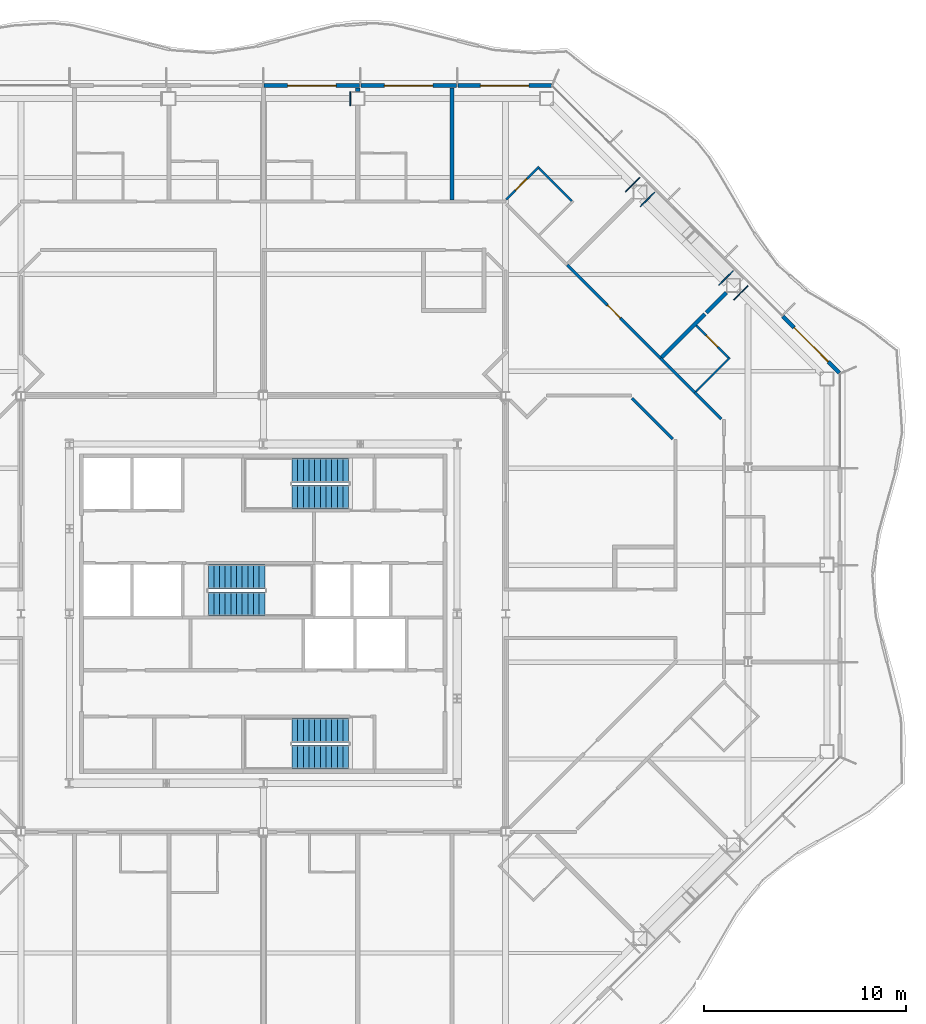
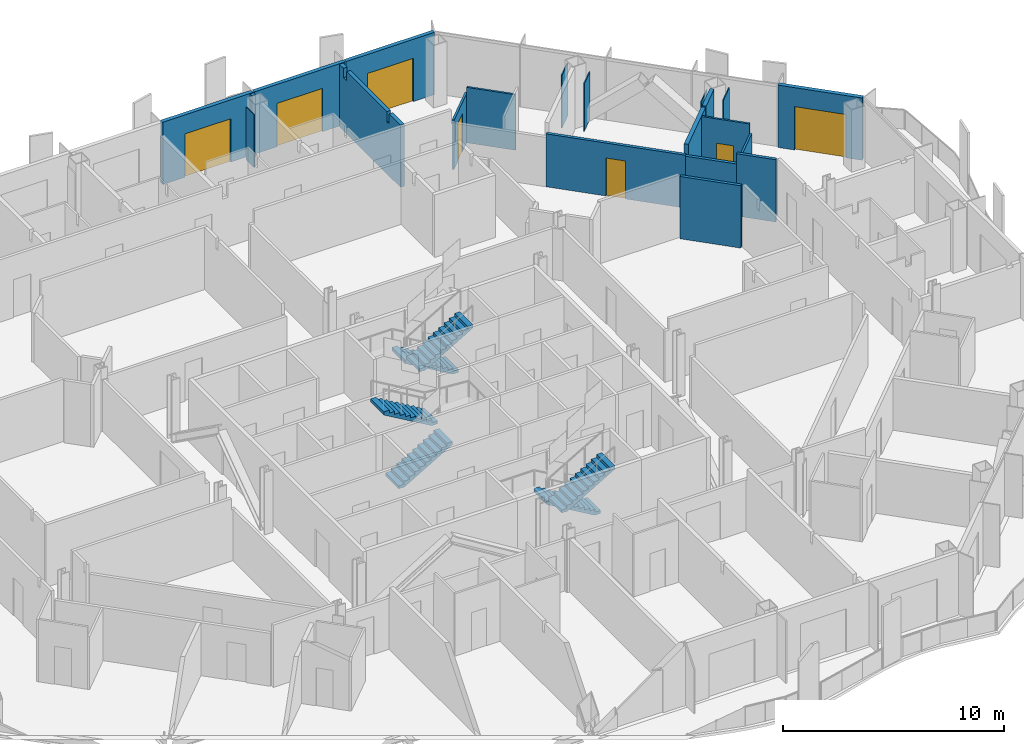
# One storey, part 14 of 21: 21 walls, 7 doors, 6 stair flights, 7 openings, 3 elements without a shape of their own.
"""IFC4 building model written with IfcOpenShell, lengths in metres."""

from ifc_helpers import new_model, si_unit, direction, frame, frame_2d, origin, place, context, subcontext, project, spatial, polyline, rectangle, outline, extrude, material, layer, layer_set, type_object, element, fill, aggregate, save


model = new_model("IFC4")

# Units and contexts
model_context = context("Model", 3, precision=1e-05, world=origin(), true_north=direction((0.0, 1.0)))
body_context = subcontext(model_context, "Body", "Model", "MODEL_VIEW")
ifc_project = project(units=[si_unit("LENGTHUNIT", "METRE"), si_unit("AREAUNIT", "SQUARE_METRE"), si_unit("VOLUMEUNIT", "CUBIC_METRE"), si_unit("PLANEANGLEUNIT", "RADIAN"), si_unit("MASSUNIT", "GRAM", prefix="KILO")], contexts=[model_context])

# Site, building, storey
site_placement = place(None, origin())
site = spatial("IfcSite", under=ifc_project, at=site_placement, CompositionType="ELEMENT")
building_placement = place(site_placement, origin())
building = spatial("IfcBuilding", under=site, at=building_placement, Name="Cairn Pilgrim Tower", CompositionType="ELEMENT")
storey_placement = place(building_placement, frame((0.0, 0.0, 136.199951171875)))
storey = spatial("IfcBuildingStorey", under=building, at=storey_placement, Name="L33", CompositionType="ELEMENT", Elevation=136.199951171875)

# Wall, opening, door
ifc_material_1 = material(Name="Bronze anodised aluminium insulated sandwich panel with mineral wool fill", Category="aluminium")
ifc_layer_1 = layer(ifc_material_1, 0.199951171875)
ifc_layer_set_1 = layer_set([ifc_layer_1], Name="BRONZE INFILL FRAME WALL 200")
wall_type_1 = type_object("IfcWallType", Name="BRONZE INFILL FRAME WALL 200", PredefinedType="NOTDEFINED", material=ifc_layer_set_1)
wall_1_placement = place(storey_placement, frame((35.7216796875, 14.32470703125, 0.0), z_axis=(0.0, 0.0, 1.0), x_axis=(-0.707106781187, 0.707106781187, 0.0)))
wall_1 = element("IfcWall", 1, at=wall_1_placement, inside=storey, type_object=wall_type_1, Name="Bronze infill frame wall IW-NE1", PredefinedType="NOTDEFINED", context=body_context, shape_type="SweptSolid", body=[
    extrude(rectangle(XDim=3.961669921875, YDim=0.199951171875, at=frame_2d((1.98095703125, 0.0))), origin(), (0.0, 0.0, 1.0), 3.449951171875),
])
opening_1_placement = place(wall_1_placement, frame((0.775390625, 0.0, 0.0)))
opening_1 = element("IfcOpeningElement", 2, at=opening_1_placement, cuts=wall_1, Name="Opening 3308B", PredefinedType="OPENING", context=body_context, shape_type="SweptSolid", body=[
    extrude(rectangle(XDim=2.39990234375, YDim=2.39990234375, at=frame_2d((1.199951171875, 1.199951171875))), frame((0.0, 0.10986328125, 0.0), z_axis=(0.0, -1.0, 0.0), x_axis=(1.0, 0.0, 0.0)), (0.0, 0.0, 1.0), 0.219970703125),
])
ifc_material_2 = material(Name="Bronze anodised aluminium frame with tinted low-E glass", Category="aluminium")
door_type_1 = type_object("IfcDoorType", Name="BALCONY SLIDING DOOR 2400x2400", OperationType="DOUBLE_DOOR_SLIDING", PredefinedType="DOOR", material=ifc_material_2)
door_1_placement = place(opening_1_placement, origin())
door_1 = element("IfcDoor", 3, at=door_1_placement, inside=storey, type_object=door_type_1, Name="Balcony sliding door 3308B", OperationType="SINGLE_SWING_LEFT", OverallHeight=2.39990234375, OverallWidth=2.39990234375, PredefinedType="DOOR", context=body_context, shape_type="SweptSolid", body=[
    extrude(rectangle(XDim=2.39990234375, YDim=2.39990234375, at=frame_2d((1.199951171875, 1.199951171875))), frame((0.0, 0.02490234375, 0.0), z_axis=(0.0, -1.0, 0.0), x_axis=(1.0, 0.0, 0.0)), (0.0, 0.0, 1.0), 0.050048828125),
])
fill(opening_1, door_1)

wall_2_placement = place(storey_placement, frame((21.45654296875, 28.550048828125, 0.0), z_axis=(0.0, 0.0, 1.0), x_axis=(-1.0, 0.0, 0.0)))
wall_2 = element("IfcWall", 4, at=wall_2_placement, inside=storey, type_object=wall_type_1, Name="Bronze infill frame wall IW-N1", PredefinedType="NOTDEFINED", context=body_context, shape_type="SweptSolid", body=[
    extrude(rectangle(XDim=4.62646484375, YDim=0.199951171875, at=frame_2d((2.313232421875, 0.0))), origin(), (0.0, 0.0, 1.0), 3.449951171875),
])
opening_2_placement = place(wall_2_placement, frame((1.1083984375, 0.0, 0.0)))
opening_2 = element("IfcOpeningElement", 5, at=opening_2_placement, cuts=wall_2, Name="Opening 3310B", PredefinedType="OPENING", context=body_context, shape_type="SweptSolid", body=[
    extrude(rectangle(XDim=2.39990234375, YDim=2.39990234375, at=frame_2d((1.199951171875, 1.199951171875))), frame((0.0, 0.10986328125, 0.0), z_axis=(0.0, -1.0, 0.0), x_axis=(1.0, 0.0, 0.0)), (0.0, 0.0, 1.0), 0.219970703125),
])
door_2_placement = place(opening_2_placement, origin())
door_2 = element("IfcDoor", 6, at=door_2_placement, inside=storey, type_object=door_type_1, Name="Balcony sliding door 3310B", OperationType="SINGLE_SWING_LEFT", OverallHeight=2.39990234375, OverallWidth=2.39990234375, PredefinedType="DOOR", context=body_context, shape_type="SweptSolid", body=[
    extrude(rectangle(XDim=2.39990234375, YDim=2.39990234375, at=frame_2d((1.199951171875, 1.199951171875))), frame((0.0, 0.02490234375, 0.0), z_axis=(0.0, -1.0, 0.0), x_axis=(1.0, 0.0, 0.0)), (0.0, 0.0, 1.0), 0.050048828125),
])
fill(opening_2, door_2)

wall_3_placement = place(storey_placement, frame((16.77001953125, 28.550048828125, 0.0), z_axis=(0.0, 0.0, 1.0), x_axis=(-1.0, 0.0, 0.0)))
wall_3 = element("IfcWall", 7, at=wall_3_placement, inside=storey, type_object=wall_type_1, Name="Bronze infill frame wall IW-N2", PredefinedType="NOTDEFINED", context=body_context, shape_type="SweptSolid", body=[
    extrude(rectangle(XDim=4.739990234375, YDim=0.199951171875, at=frame_2d((2.3701171875, 0.0))), origin(), (0.0, 0.0, 1.0), 3.449951171875),
])
opening_3_placement = place(wall_3_placement, frame((1.17041015625, 0.0, 0.0)))
opening_3 = element("IfcOpeningElement", 8, at=opening_3_placement, cuts=wall_3, Name="Opening 3311B", PredefinedType="OPENING", context=body_context, shape_type="SweptSolid", body=[
    extrude(rectangle(XDim=2.39990234375, YDim=2.39990234375, at=frame_2d((1.199951171875, 1.199951171875))), frame((0.0, 0.10986328125, 0.0), z_axis=(0.0, -1.0, 0.0), x_axis=(1.0, 0.0, 0.0)), (0.0, 0.0, 1.0), 0.219970703125),
])
door_3_placement = place(opening_3_placement, origin())
door_3 = element("IfcDoor", 9, at=door_3_placement, inside=storey, type_object=door_type_1, Name="Balcony sliding door 3311B", OperationType="SINGLE_SWING_LEFT", OverallHeight=2.39990234375, OverallWidth=2.39990234375, PredefinedType="DOOR", context=body_context, shape_type="SweptSolid", body=[
    extrude(rectangle(XDim=2.39990234375, YDim=2.39990234375, at=frame_2d((1.199951171875, 1.199951171875))), frame((0.0, 0.02490234375, 0.0), z_axis=(0.0, -1.0, 0.0), x_axis=(1.0, 0.0, 0.0)), (0.0, 0.0, 1.0), 0.050048828125),
])
fill(opening_3, door_3)

wall_4_placement = place(storey_placement, frame((11.969970703125, 28.550048828125, 0.0), z_axis=(0.0, 0.0, 1.0), x_axis=(-1.0, 0.0, 0.0)))
wall_4 = element("IfcWall", 10, at=wall_4_placement, inside=storey, type_object=wall_type_1, Name="Bronze infill frame wall IW-N3", PredefinedType="NOTDEFINED", context=body_context, shape_type="SweptSolid", body=[
    extrude(rectangle(XDim=4.739990234375, YDim=0.199951171875, at=frame_2d((2.3701171875, 0.0))), origin(), (0.0, 0.0, 1.0), 3.449951171875),
])
opening_4_placement = place(wall_4_placement, frame((1.17041015625, 0.0, 0.0)))
opening_4 = element("IfcOpeningElement", 11, at=opening_4_placement, cuts=wall_4, Name="Opening 3312B", PredefinedType="OPENING", context=body_context, shape_type="SweptSolid", body=[
    extrude(rectangle(XDim=2.39990234375, YDim=2.39990234375, at=frame_2d((1.199951171875, 1.199951171875))), frame((0.0, 0.10986328125, 0.0), z_axis=(0.0, -1.0, 0.0), x_axis=(1.0, 0.0, 0.0)), (0.0, 0.0, 1.0), 0.219970703125),
])
door_4_placement = place(opening_4_placement, origin())
door_4 = element("IfcDoor", 12, at=door_4_placement, inside=storey, type_object=door_type_1, Name="Balcony sliding door 3312B", OperationType="SINGLE_SWING_LEFT", OverallHeight=2.39990234375, OverallWidth=2.39990234375, PredefinedType="DOOR", context=body_context, shape_type="SweptSolid", body=[
    extrude(rectangle(XDim=2.39990234375, YDim=2.39990234375, at=frame_2d((1.199951171875, 1.199951171875))), frame((0.0, 0.02490234375, 0.0), z_axis=(0.0, -1.0, 0.0), x_axis=(1.0, 0.0, 0.0)), (0.0, 0.0, 1.0), 0.050048828125),
])
fill(opening_4, door_4)

# Wall
ifc_material_3 = material(Name="Gypsum partition")
ifc_layer_2 = layer(ifc_material_3, 0.10009765625)
ifc_layer_set_2 = layer_set([ifc_layer_2], Name="PARTITION 100 DRYWALL")
wall_type_2 = type_object("IfcWallType", Name="PARTITION 100 DRYWALL", PredefinedType="PARTITIONING", material=ifc_layer_set_2)
wall_5_placement = place(storey_placement, frame((28.6201171875, 13.40087890625, 0.0), z_axis=(0.0, 0.0, 1.0), x_axis=(0.707055379538, 0.707158179099, 0.0)))
element("IfcWall", 13, at=wall_5_placement, inside=storey, type_object=wall_type_2, Name="PARTITION W086", PredefinedType="PARTITIONING", context=body_context, shape_type="SweptSolid", body=[
    extrude(rectangle(XDim=2.375, YDim=0.10009765625, at=frame_2d((1.1875, 0.0))), origin(), (0.0, 0.0, 1.0), 2.880126953125),
])

# Wall, opening, door
wall_6_placement = place(storey_placement, frame((30.228515625, 15.080322265625, 0.0), z_axis=(0.0, 0.0, 1.0), x_axis=(-0.707052524, 0.70716103421, 0.0)))
wall_6 = element("IfcWall", 14, at=wall_6_placement, inside=storey, type_object=wall_type_2, Name="PARTITION W091", PredefinedType="PARTITIONING", context=body_context, shape_type="SweptSolid", body=[
    extrude(rectangle(XDim=2.25, YDim=0.10009765625, at=frame_2d((1.125, 0.0))), origin(), (0.0, 0.0, 1.0), 3.449951171875),
])
opening_5_placement = place(wall_6_placement, frame((0.75, 0.0, 0.0)))
opening_5 = element("IfcOpeningElement", 15, at=opening_5_placement, cuts=wall_6, Name="Opening 3308A", PredefinedType="OPENING", context=body_context, shape_type="SweptSolid", body=[
    extrude(rectangle(XDim=0.800048828125, YDim=2.10009765625, at=frame_2d((0.39990234375, 1.050048828125))), frame((0.0, 0.06005859375, 0.0), z_axis=(0.0, -1.0, 0.0), x_axis=(1.0, 0.0, 0.0)), (0.0, 0.0, 1.0), 0.1201171875),
])
ifc_material_4 = material(Name="Timber door leaf", Category="wood")
door_type_2 = type_object("IfcDoorType", Name="WC DOOR 800x2100", OperationType="NOTDEFINED", PredefinedType="DOOR", material=ifc_material_4)
door_5_placement = place(opening_5_placement, frame((0.800048828125, 0.0, 0.0), z_axis=(0.0, 0.0, 1.0), x_axis=(-1.0, 0.0, 0.0)))
door_5 = element("IfcDoor", 16, at=door_5_placement, inside=storey, type_object=door_type_2, Name="DOOR 3308A", OperationType="SINGLE_SWING_LEFT", OverallHeight=2.10009765625, OverallWidth=0.800048828125, PredefinedType="DOOR", context=body_context, shape_type="SweptSolid", body=[
    extrude(rectangle(XDim=0.800048828125, YDim=2.10009765625, at=frame_2d((0.39990234375, 1.050048828125))), frame((0.0, 0.02490234375, 0.0), z_axis=(0.0, -1.0, 0.0), x_axis=(1.0, 0.0, 0.0)), (0.0, 0.0, 1.0), 0.050048828125),
])
fill(opening_5, door_5)

# Wall
wall_7_placement = place(storey_placement, frame((22.4736328125, 22.83544921875, 0.0), z_axis=(0.0, 0.0, 1.0), x_axis=(-0.707106781187, 0.707106781187, 0.0)))
element("IfcWall", 17, at=wall_7_placement, inside=storey, type_object=wall_type_2, Name="PARTITION W115", PredefinedType="PARTITIONING", context=body_context, shape_type="SweptSolid", body=[
    extrude(rectangle(XDim=2.2998046875, YDim=0.10009765625, at=frame_2d((1.14990234375, 0.0))), origin(), (0.0, 0.0, 1.0), 3.070068359375),
])

# Wall, opening, door
wall_8_placement = place(storey_placement, frame((19.225341796875, 22.910400390625, 0.0), z_axis=(0.0, 0.0, 1.0), x_axis=(0.707106781187, 0.707106781187, 0.0)))
wall_8 = element("IfcWall", 18, at=wall_8_placement, inside=storey, type_object=wall_type_2, Name="PARTITION W125", PredefinedType="PARTITIONING", context=body_context, shape_type="SweptSolid", body=[
    extrude(rectangle(XDim=2.2939453125, YDim=0.10009765625, at=frame_2d((1.14697265625, 0.0))), origin(), (0.0, 0.0, 1.0), 2.72998046875),
])
opening_6_placement = place(wall_8_placement, frame((0.643798828125, 0.0, 0.0)))
opening_6 = element("IfcOpeningElement", 19, at=opening_6_placement, cuts=wall_8, Name="Opening 3310A", PredefinedType="OPENING", context=body_context, shape_type="SweptSolid", body=[
    extrude(rectangle(XDim=0.800048828125, YDim=2.10009765625, at=frame_2d((0.39990234375, 1.050048828125))), frame((0.0, 0.06005859375, 0.0), z_axis=(0.0, -1.0, 0.0), x_axis=(1.0, 0.0, 0.0)), (0.0, 0.0, 1.0), 0.1201171875),
])
door_6_placement = place(opening_6_placement, origin())
door_6 = element("IfcDoor", 20, at=door_6_placement, inside=storey, type_object=door_type_2, Name="DOOR 3310A", OperationType="SINGLE_SWING_RIGHT", OverallHeight=2.10009765625, OverallWidth=0.800048828125, PredefinedType="DOOR", context=body_context, shape_type="SweptSolid", body=[
    extrude(rectangle(XDim=0.800048828125, YDim=2.10009765625, at=frame_2d((0.39990234375, 1.050048828125))), frame((0.0, 0.02490234375, 0.0), z_axis=(0.0, -1.0, 0.0), x_axis=(1.0, 0.0, 0.0)), (0.0, 0.0, 1.0), 0.050048828125),
])
fill(opening_6, door_6)

# Walls
ifc_layer_3 = layer(ifc_material_3, 0.14990234375)
ifc_layer_set_3 = layer_set([ifc_layer_3], Name="PARTITION 150 DRYWALL EI 60")
wall_type_3 = type_object("IfcWallType", Name="PARTITION 150 DRYWALL EI 60", PredefinedType="PARTITIONING", material=ifc_layer_set_3)
wall_9_placement = place(storey_placement, frame((27.471923828125, 11.049072265625, 0.0), z_axis=(0.0, 0.0, 1.0), x_axis=(-0.707106781187, 0.707106781187, 0.0)))
element("IfcWall", 21, at=wall_9_placement, inside=storey, type_object=wall_type_3, Name="PARTITION W070", PredefinedType="PARTITIONING", context=body_context, shape_type="SweptSolid", body=[
    extrude(rectangle(XDim=2.86083984375, YDim=0.14990234375, at=frame_2d((1.430419921875, 0.0))), origin(), (0.0, 0.0, 1.0), 3.449951171875),
])
wall_10_placement = place(storey_placement, frame((29.8720703125, 12.04296875, 0.0), z_axis=(0.0, 0.0, 1.0), x_axis=(-0.707172918471, 0.707040637716, 0.0)))
element("IfcWall", 22, at=wall_10_placement, inside=storey, type_object=wall_type_3, Name="PARTITION W072", PredefinedType="PARTITIONING", context=body_context, shape_type="SweptSolid", body=[
    extrude(rectangle(XDim=1.845703125, YDim=0.14990234375, at=frame_2d((0.9228515625, 0.0))), origin(), (0.0, 0.0, 1.0), 3.449951171875),
])
wall_11_placement = place(storey_placement, frame((28.56689453125, 13.347900390625, 0.0), z_axis=(0.0, 0.0, 1.0), x_axis=(-0.707310148094, 0.706903355773, 0.0)))
element("IfcWall", 23, at=wall_11_placement, inside=storey, type_object=wall_type_3, Name="PARTITION W082", PredefinedType="PARTITIONING", context=body_context, shape_type="SweptSolid", body=[
    extrude(rectangle(XDim=2.400634765625, YDim=0.14990234375, at=frame_2d((1.2001953125, 0.0))), origin(), (0.0, 0.0, 1.0), 2.880126953125),
])

# Wall, opening, door
wall_12_placement = place(storey_placement, frame((26.868896484375, 15.044921875, 0.0), z_axis=(0.0, 0.0, 1.0), x_axis=(-0.707013447311, 0.707200102744, 0.0)))
wall_12 = element("IfcWall", 24, at=wall_12_placement, inside=storey, type_object=wall_type_3, Name="PARTITION W089", PredefinedType="PARTITIONING", context=body_context, shape_type="SweptSolid", body=[
    extrude(rectangle(XDim=6.539794921875, YDim=0.14990234375, at=frame_2d((3.27001953125, 0.0))), origin(), (0.0, 0.0, 1.0), 2.929931640625),
])
opening_7_placement = place(wall_12_placement, frame((2.820068359375, 0.0, 0.0)))
opening_7 = element("IfcOpeningElement", 25, at=opening_7_placement, cuts=wall_12, Name="Opening 3309", PredefinedType="OPENING", context=body_context, shape_type="SweptSolid", body=[
    extrude(rectangle(XDim=0.89990234375, YDim=2.10009765625, at=frame_2d((0.449951171875, 1.050048828125))), frame((0.0, 0.0849609375, 0.0), z_axis=(0.0, -1.0, 0.0), x_axis=(1.0, 0.0, 0.0)), (0.0, 0.0, 1.0), 0.169921875),
])
door_type_3 = type_object("IfcDoorType", Name="SERVICE DOOR 900x2100 FD30S", OperationType="NOTDEFINED", PredefinedType="DOOR", material=ifc_material_4)
door_7_placement = place(opening_7_placement, frame((0.89990234375, 0.0, 0.0), z_axis=(0.0, 0.0, 1.0), x_axis=(-1.0, 0.0, 0.0)))
door_7 = element("IfcDoor", 26, at=door_7_placement, inside=storey, type_object=door_type_3, Name="DOOR 3309", OperationType="SINGLE_SWING_LEFT", OverallHeight=2.10009765625, OverallWidth=0.89990234375, PredefinedType="DOOR", context=body_context, shape_type="SweptSolid", body=[
    extrude(rectangle(XDim=0.89990234375, YDim=2.10009765625, at=frame_2d((0.449951171875, 1.050048828125))), frame((0.0, 0.02490234375, 0.0), z_axis=(0.0, -1.0, 0.0), x_axis=(1.0, 0.0, 0.0)), (0.0, 0.0, 1.0), 0.050048828125),
])
fill(opening_7, door_7)

# Walls
ifc_layer_4 = layer(ifc_material_3, 0.050048828125)
ifc_layer_set_4 = layer_set([ifc_layer_4], Name="PARTITION 50 DRYWALL EI 60")
wall_type_4 = type_object("IfcWallType", Name="PARTITION 50 DRYWALL EI 60", PredefinedType="PARTITIONING", material=ifc_layer_set_4)
wall_13_placement = place(storey_placement, frame((29.758056640625, 18.6689453125, 0.0), z_axis=(0.0, 0.0, 1.0), x_axis=(0.706983473703, 0.707230067171, 0.0)))
element("IfcWall", 27, at=wall_13_placement, inside=storey, type_object=wall_type_4, Name="COLUMN CASING WC31", PredefinedType="PARTITIONING", context=body_context, shape_type="SweptSolid", body=[
    extrude(rectangle(XDim=0.989990234375, YDim=0.050048828125, at=frame_2d((0.4951171875, 0.0))), origin(), (0.0, 0.0, 1.0), 2.630126953125),
])
for number, where, z_axis, x_axis, name in (
    (28, (30.493408203125, 17.933837890625, 0.0), (0.0, 0.0, 1.0), (0.706983473703, 0.707230067171, 0.0), "COLUMN CASING WC32"),
    (29, (25.1337890625, 23.29345703125, 0.0), (0.0, 0.0, 1.0), (0.707230067171, 0.706983473703, 0.0), "COLUMN CASING WC33"),
):
    element("IfcWall", number, at=place(storey_placement, frame(where, z_axis=z_axis, x_axis=x_axis)), inside=storey, type_object=wall_type_4, Name=name, PredefinedType="PARTITIONING", context=body_context, shape_type="SweptSolid", body=[
        extrude(rectangle(XDim=0.989990234375, YDim=0.050048828125, at=frame_2d((0.4951171875, 0.0))), origin(), (0.0, 0.0, 1.0), 2.929931640625),
    ])
wall_14_placement = place(storey_placement, frame((25.869140625, 22.55810546875, 0.0), z_axis=(0.0, 0.0, 1.0), x_axis=(0.707230110177, 0.706983430682, 0.0)))
element("IfcWall", 30, at=wall_14_placement, inside=storey, type_object=wall_type_4, Name="COLUMN CASING WC34", PredefinedType="PARTITIONING", context=body_context, shape_type="SweptSolid", body=[
    extrude(rectangle(XDim=0.98974609375, YDim=0.050048828125, at=frame_2d((0.494873046875, 0.0))), origin(), (0.0, 0.0, 1.0), 2.630126953125),
])
wall_15_placement = place(storey_placement, frame((11.500732421875, 27.550048828125, 0.0), z_axis=(0.0, 0.0, 1.0), x_axis=(0.0, 1.0, 0.0)))
element("IfcWall", 31, at=wall_15_placement, inside=storey, type_object=wall_type_4, Name="COLUMN CASING WC38", PredefinedType="PARTITIONING", context=body_context, shape_type="SweptSolid", body=[
    extrude(rectangle(XDim=0.699951171875, YDim=0.050048828125, at=frame_2d((0.35009765625, 0.0))), origin(), (0.0, 0.0, 1.0), 2.929931640625),
])
ifc_layer_5 = layer(ifc_material_3, 0.199951171875)
ifc_layer_set_5 = layer_set([ifc_layer_5], Name="SHAFT WALL 200 GYPSUM EI 60")
wall_type_5 = type_object("IfcWallType", Name="SHAFT WALL 200 GYPSUM EI 60", PredefinedType="PARTITIONING", material=ifc_layer_set_5)
wall_16_placement = place(storey_placement, frame((26.922119140625, 15.097900390625, 0.0), z_axis=(0.0, 0.0, 1.0), x_axis=(0.707268147401, 0.706945378138, 0.0)))
element("IfcWall", 32, at=wall_16_placement, inside=storey, type_object=wall_type_5, Name="PARTITION W090", PredefinedType="PARTITIONING", context=body_context, shape_type="SweptSolid", body=[
    extrude(rectangle(XDim=3.025634765625, YDim=0.199951171875, at=frame_2d((1.5126953125, 0.0))), origin(), (0.0, 0.0, 1.0), 3.449951171875),
])
wall_17_placement = place(storey_placement, frame((29.132568359375, 17.307861328125, 0.0), z_axis=(0.0, 0.0, 1.0), x_axis=(0.70693298083, 0.707280538835, 0.0)))
element("IfcWall", 33, at=wall_17_placement, inside=storey, type_object=wall_type_5, Name="PARTITION W096", PredefinedType="PARTITIONING", context=body_context, shape_type="SweptSolid", body=[
    extrude(rectangle(XDim=1.40478515625, YDim=0.199951171875, at=frame_2d((0.702392578125, 0.0))), origin(), (0.0, 0.0, 1.0), 3.449951171875),
])
wall_18_placement = place(storey_placement, frame((16.552001953125, 22.875, 0.0), z_axis=(0.0, 0.0, 1.0), x_axis=(0.0, 1.0, 0.0)))
element("IfcWall", 34, at=wall_18_placement, inside=storey, type_object=wall_type_5, Name="PARTITION W124", PredefinedType="PARTITIONING", context=body_context, shape_type="SweptSolid", body=[
    extrude(outline(polyline([(0.0, 0.0), (5.544921875, 0.0), (5.544921875, 3.449951171875), (5.175048828125, 3.449951171875), (5.173095703125, 2.929931640625), (4.875, 2.929931640625), (4.873046875, 3.449951171875), (1.22998046875, 3.449951171875), (1.22802734375, 2.880126953125), (1.02001953125, 2.880126953125), (1.01806640625, 3.449951171875), (0.0, 3.449951171875), (0.0, 0.0)])), frame((0.0, 0.10009765625, 0.0), z_axis=(0.0, -1.0, 0.0), x_axis=(1.0, 0.0, 0.0)), (0.0, 0.0, 1.0), 0.199951171875),
])
wall_19_placement = place(storey_placement, frame((11.8759765625, 28.25, 0.0), z_axis=(0.0, 0.0, 1.0), x_axis=(0.0, 1.0, 0.0)))
element("IfcWall", 35, at=wall_19_placement, inside=storey, type_object=wall_type_5, Name="PARTITION W131", PredefinedType="PARTITIONING", context=body_context, shape_type="SweptSolid", body=[
    extrude(rectangle(XDim=0.169921875, YDim=0.199951171875, at=frame_2d((0.0849609375, 0.0))), origin(), (0.0, 0.0, 1.0), 3.449951171875),
])

# Stair, stair flights
ifc_material_5 = material(Name="Concrete C32/40", Category="concrete")
stair_type = type_object("IfcStairType", Name="EXIT STAIR 1200", PredefinedType="HALF_TURN_STAIR", material=ifc_material_5)
stair_1_placement = place(storey_placement, origin())
stair_1 = element("IfcStair", 36, at=stair_1_placement, inside=storey, type_object=stair_type, Name="L33 Exit Stair A", PredefinedType="HALF_TURN_STAIR")
stair_flight_type = type_object("IfcStairFlightType", Name="STAIR FLIGHT 1200", PredefinedType="STRAIGHT", material=ifc_material_5)
stair_flight_1_placement = place(storey_placement, frame((11.425048828125, -3.375, 0.0), z_axis=(0.0, 0.0, 1.0), x_axis=(-1.0, 0.0, 0.0)))
stair_flight_1 = element("IfcStairFlight", 37, at=stair_flight_1_placement, type_object=stair_flight_type, Name="ST-A flight 1", NumberOfRisers=11, NumberOfTreads=10, PredefinedType="STRAIGHT", RiserHeight=0.163636364, TreadLength=0.28, context=body_context, shape_type="SweptSolid", body=[
    extrude(outline(polyline([(0.0, 0.0), (0.0, 0.16357421875), (0.280029296875, 0.16357421875), (0.280029296875, 0.327392578125), (0.56005859375, 0.327392578125), (0.56005859375, 0.490966796875), (0.840087890625, 0.490966796875), (0.840087890625, 0.654541015625), (1.1201171875, 0.654541015625), (1.1201171875, 0.818115234375), (1.39990234375, 0.818115234375), (1.39990234375, 0.98193359375), (1.679931640625, 0.98193359375), (1.679931640625, 1.1455078125), (1.9599609375, 1.1455078125), (1.9599609375, 1.30908203125), (2.239990234375, 1.30908203125), (2.239990234375, 1.47265625), (2.52001953125, 1.47265625), (2.52001953125, 1.636474609375), (2.800048828125, 1.636474609375), (2.800048828125, 1.800048828125), (2.800048828125, 1.462646484375), (0.297119140625, 0.0), (0.0, 0.0)])), frame((0.0, 0.60009765625, 0.0), z_axis=(0.0, -1.0, 0.0), x_axis=(1.0, 0.0, 0.0)), (0.0, 0.0, 1.0), 1.199951171875),
])
stair_flight_2_placement = place(storey_placement, frame((8.625, -4.699951171875, 1.800048828125), z_axis=(0.0, 0.0, 1.0), x_axis=(1.0, 0.0, 0.0)))
stair_flight_2 = element("IfcStairFlight", 38, at=stair_flight_2_placement, type_object=stair_flight_type, Name="ST-A flight 2", NumberOfRisers=11, NumberOfTreads=10, PredefinedType="STRAIGHT", RiserHeight=0.163636364, TreadLength=0.28, context=body_context, shape_type="SweptSolid", body=[
    extrude(outline(polyline([(0.0, 0.0), (0.0, 0.16357421875), (0.280029296875, 0.16357421875), (0.280029296875, 0.327392578125), (0.56005859375, 0.327392578125), (0.56005859375, 0.490966796875), (0.840087890625, 0.490966796875), (0.840087890625, 0.654541015625), (1.1201171875, 0.654541015625), (1.1201171875, 0.818115234375), (1.39990234375, 0.818115234375), (1.39990234375, 0.98193359375), (1.679931640625, 0.98193359375), (1.679931640625, 1.1455078125), (1.9599609375, 1.1455078125), (1.9599609375, 1.30908203125), (2.239990234375, 1.30908203125), (2.239990234375, 1.47265625), (2.52001953125, 1.47265625), (2.52001953125, 1.636474609375), (2.800048828125, 1.636474609375), (2.800048828125, 1.800048828125), (2.800048828125, 1.462646484375), (0.297119140625, 0.0), (0.0, 0.0)])), frame((0.0, 0.60009765625, 0.0), z_axis=(0.0, -1.0, 0.0), x_axis=(1.0, 0.0, 0.0)), (0.0, 0.0, 1.0), 1.199951171875),
])
aggregate(stair_1, [stair_flight_1, stair_flight_2])

stair_2_placement = place(storey_placement, origin())
stair_2 = element("IfcStair", 39, at=stair_2_placement, inside=storey, type_object=stair_type, Name="L33 Exit Stair B", PredefinedType="HALF_TURN_STAIR")
stair_flight_3_placement = place(storey_placement, frame((4.47509765625, 2.875, 0.0), z_axis=(0.0, 0.0, 1.0), x_axis=(1.0, 0.0, 0.0)))
stair_flight_3 = element("IfcStairFlight", 40, at=stair_flight_3_placement, type_object=stair_flight_type, Name="ST-B flight 1", NumberOfRisers=11, NumberOfTreads=10, PredefinedType="STRAIGHT", RiserHeight=0.163636364, TreadLength=0.28, context=body_context, shape_type="SweptSolid", body=[
    extrude(outline(polyline([(0.0, 0.0), (0.0, 0.16357421875), (0.280029296875, 0.16357421875), (0.280029296875, 0.327392578125), (0.56005859375, 0.327392578125), (0.56005859375, 0.490966796875), (0.840087890625, 0.490966796875), (0.840087890625, 0.654541015625), (1.1201171875, 0.654541015625), (1.1201171875, 0.818115234375), (1.39990234375, 0.818115234375), (1.39990234375, 0.98193359375), (1.679931640625, 0.98193359375), (1.679931640625, 1.1455078125), (1.9599609375, 1.1455078125), (1.9599609375, 1.30908203125), (2.239990234375, 1.30908203125), (2.239990234375, 1.47265625), (2.52001953125, 1.47265625), (2.52001953125, 1.636474609375), (2.800048828125, 1.636474609375), (2.800048828125, 1.800048828125), (2.800048828125, 1.462646484375), (0.297119140625, 0.0), (0.0, 0.0)])), frame((0.0, 0.60009765625, 0.0), z_axis=(0.0, -1.0, 0.0), x_axis=(1.0, 0.0, 0.0)), (0.0, 0.0, 1.0), 1.199951171875),
])
stair_flight_4_placement = place(storey_placement, frame((7.27490234375, 4.22509765625, 1.800048828125), z_axis=(0.0, 0.0, 1.0), x_axis=(-1.0, 0.0, 0.0)))
stair_flight_4 = element("IfcStairFlight", 41, at=stair_flight_4_placement, type_object=stair_flight_type, Name="ST-B flight 2", NumberOfRisers=11, NumberOfTreads=10, PredefinedType="STRAIGHT", RiserHeight=0.163636364, TreadLength=0.28, context=body_context, shape_type="SweptSolid", body=[
    extrude(outline(polyline([(0.0, 0.0), (0.0, 0.16357421875), (0.280029296875, 0.16357421875), (0.280029296875, 0.327392578125), (0.56005859375, 0.327392578125), (0.56005859375, 0.490966796875), (0.840087890625, 0.490966796875), (0.840087890625, 0.654541015625), (1.1201171875, 0.654541015625), (1.1201171875, 0.818115234375), (1.39990234375, 0.818115234375), (1.39990234375, 0.98193359375), (1.679931640625, 0.98193359375), (1.679931640625, 1.1455078125), (1.9599609375, 1.1455078125), (1.9599609375, 1.30908203125), (2.239990234375, 1.30908203125), (2.239990234375, 1.47265625), (2.52001953125, 1.47265625), (2.52001953125, 1.636474609375), (2.800048828125, 1.636474609375), (2.800048828125, 1.800048828125), (2.800048828125, 1.462646484375), (0.297119140625, 0.0), (0.0, 0.0)])), frame((0.0, 0.60009765625, 0.0), z_axis=(0.0, -1.0, 0.0), x_axis=(1.0, 0.0, 0.0)), (0.0, 0.0, 1.0), 1.199951171875),
])
aggregate(stair_2, [stair_flight_3, stair_flight_4])

stair_3_placement = place(storey_placement, origin())
stair_3 = element("IfcStair", 42, at=stair_3_placement, inside=storey, type_object=stair_type, Name="L33 Exit Stair C", PredefinedType="HALF_TURN_STAIR")
stair_flight_5_placement = place(storey_placement, frame((11.425048828125, 9.5, 0.0), z_axis=(0.0, 0.0, 1.0), x_axis=(-1.0, 0.0, 0.0)))
stair_flight_5 = element("IfcStairFlight", 43, at=stair_flight_5_placement, type_object=stair_flight_type, Name="ST-C flight 1", NumberOfRisers=11, NumberOfTreads=10, PredefinedType="STRAIGHT", RiserHeight=0.163636364, TreadLength=0.28, context=body_context, shape_type="SweptSolid", body=[
    extrude(outline(polyline([(0.0, 0.0), (0.0, 0.16357421875), (0.280029296875, 0.16357421875), (0.280029296875, 0.327392578125), (0.56005859375, 0.327392578125), (0.56005859375, 0.490966796875), (0.840087890625, 0.490966796875), (0.840087890625, 0.654541015625), (1.1201171875, 0.654541015625), (1.1201171875, 0.818115234375), (1.39990234375, 0.818115234375), (1.39990234375, 0.98193359375), (1.679931640625, 0.98193359375), (1.679931640625, 1.1455078125), (1.9599609375, 1.1455078125), (1.9599609375, 1.30908203125), (2.239990234375, 1.30908203125), (2.239990234375, 1.47265625), (2.52001953125, 1.47265625), (2.52001953125, 1.636474609375), (2.800048828125, 1.636474609375), (2.800048828125, 1.800048828125), (2.800048828125, 1.462646484375), (0.297119140625, 0.0), (0.0, 0.0)])), frame((0.0, 0.60009765625, 0.0), z_axis=(0.0, -1.0, 0.0), x_axis=(1.0, 0.0, 0.0)), (0.0, 0.0, 1.0), 1.199951171875),
])
stair_flight_6_placement = place(storey_placement, frame((8.625, 8.175048828125, 1.800048828125), z_axis=(0.0, 0.0, 1.0), x_axis=(1.0, 0.0, 0.0)))
stair_flight_6 = element("IfcStairFlight", 44, at=stair_flight_6_placement, type_object=stair_flight_type, Name="ST-C flight 2", NumberOfRisers=11, NumberOfTreads=10, PredefinedType="STRAIGHT", RiserHeight=0.163636364, TreadLength=0.28, context=body_context, shape_type="SweptSolid", body=[
    extrude(outline(polyline([(0.0, 0.0), (0.0, 0.16357421875), (0.280029296875, 0.16357421875), (0.280029296875, 0.327392578125), (0.56005859375, 0.327392578125), (0.56005859375, 0.490966796875), (0.840087890625, 0.490966796875), (0.840087890625, 0.654541015625), (1.1201171875, 0.654541015625), (1.1201171875, 0.818115234375), (1.39990234375, 0.818115234375), (1.39990234375, 0.98193359375), (1.679931640625, 0.98193359375), (1.679931640625, 1.1455078125), (1.9599609375, 1.1455078125), (1.9599609375, 1.30908203125), (2.239990234375, 1.30908203125), (2.239990234375, 1.47265625), (2.52001953125, 1.47265625), (2.52001953125, 1.636474609375), (2.800048828125, 1.636474609375), (2.800048828125, 1.800048828125), (2.800048828125, 1.462646484375), (0.297119140625, 0.0), (0.0, 0.0)])), frame((0.0, 0.60009765625, 0.0), z_axis=(0.0, -1.0, 0.0), x_axis=(1.0, 0.0, 0.0)), (0.0, 0.0, 1.0), 1.199951171875),
])
aggregate(stair_3, [stair_flight_5, stair_flight_6])

save(model, "model.ifc")
